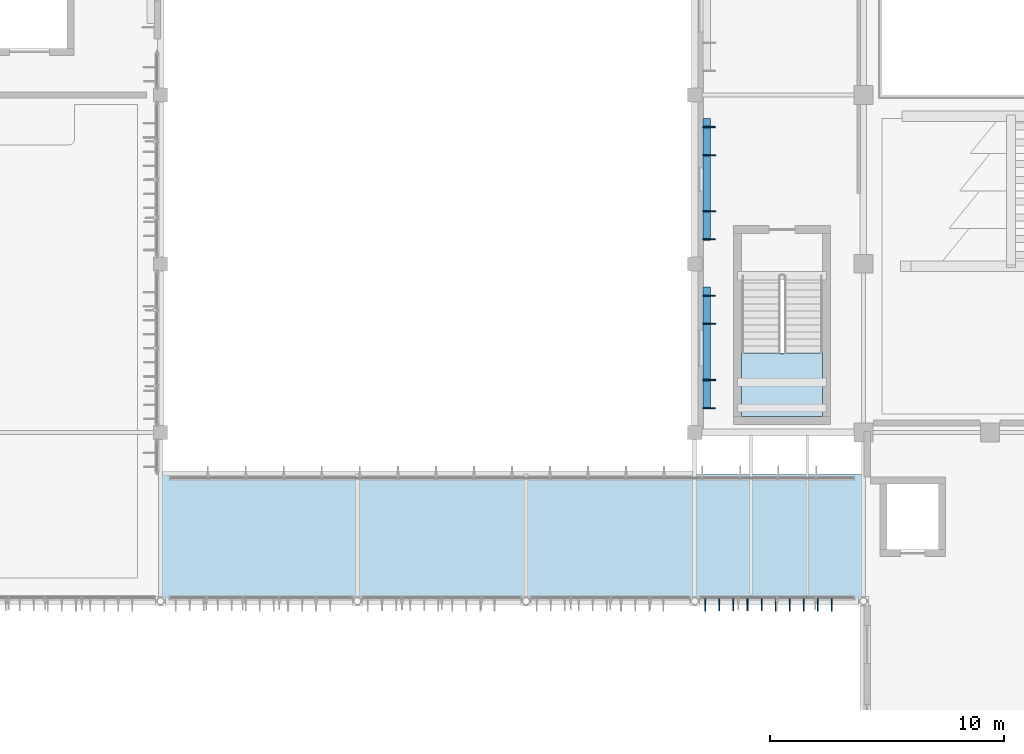
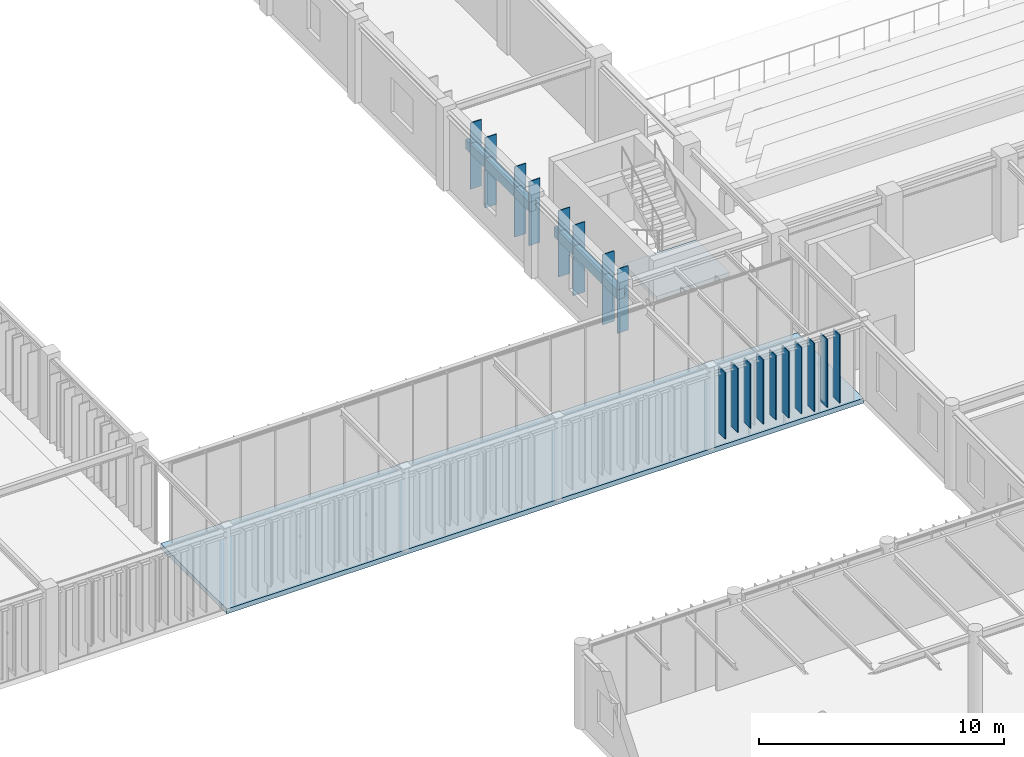
# One storey, part 19 of 104: 20 plates, 2 slabs, 1 element without a shape of its own.
"""IFC4 building model written with IfcOpenShell, lengths in metres."""

from ifc_helpers import new_model, si_unit, direction, frame, origin, origin_2d, place, context, subcontext, project, spatial, polyline, rectangle, outline, extrude, material, layer, layer_set, type_object, element, aggregate, save


model = new_model("IFC4")

# Units and contexts
model_context = context("Model", 3, precision=1e-05, world=origin(), true_north=direction((0.0, 1.0)))
body_context = subcontext(model_context, "Body", "Model", "MODEL_VIEW")
ifc_project = project(units=[si_unit("LENGTHUNIT", "METRE"), si_unit("AREAUNIT", "SQUARE_METRE"), si_unit("VOLUMEUNIT", "CUBIC_METRE"), si_unit("PLANEANGLEUNIT", "RADIAN"), si_unit("MASSUNIT", "GRAM", prefix="KILO")], contexts=[model_context])

# Site, building, storey
site_placement = place(None, origin())
site = spatial("IfcSite", under=ifc_project, at=site_placement, CompositionType="ELEMENT")
building_placement = place(site_placement, origin())
building = spatial("IfcBuilding", under=site, at=building_placement, Name="Tazoul Stagehouse", CompositionType="ELEMENT")
storey_placement = place(building_placement, frame((0.0, 0.0, 9.0)))
storey = spatial("IfcBuildingStorey", under=building, at=storey_placement, Name="L02", CompositionType="ELEMENT", Elevation=9.0)

# Stair, slab
ifc_material_1 = material(Name="Concrete C40/50", Category="concrete")
stair_type = type_object("IfcStairType", Name="Protected Core Dogleg Stair 4200", PredefinedType="HALF_TURN_STAIR", material=ifc_material_1)
stair_placement = place(storey_placement, origin())
stair = element("IfcStair", 1, at=stair_placement, inside=storey, type_object=stair_type, Name="L02 Core Escape Stair ST-05", PredefinedType="HALF_TURN_STAIR")
ifc_layer_1 = layer(ifc_material_1, 0.179931640625, Name="Concrete C40/50")
ifc_layer_set_1 = layer_set([ifc_layer_1], Name="Concrete C40/50")
slab_type_1 = type_object("IfcSlabType", Name="Core Half-Landing Slab 180", PredefinedType="LANDING", material=ifc_layer_set_1)
slab_1_placement = place(storey_placement, frame((0.0, 0.0, 1.89990234375)))
slab_1 = element("IfcSlab", 2, at=slab_1_placement, type_object=slab_type_1, Name="ST-05 landing 1", PredefinedType="LANDING", context=body_context, shape_type="SweptSolid", body=[
    extrude(outline(polyline([(52.39990234375, 55.18994140625), (52.39990234375, 52.489990234375), (55.85009765625, 52.489990234375), (55.85009765625, 55.18994140625), (52.39990234375, 55.18994140625)])), origin(), (0.0, 0.0, 1.0), 0.2001953125),
])
aggregate(stair, [slab_1])

# Slab
ifc_material_2 = material(Name="Concrete C35/45", Category="concrete")
ifc_layer_2 = layer(ifc_material_2, 0.239990234375, Name="Concrete C35/45")
ifc_layer_set_2 = layer_set([ifc_layer_2], Name="Concrete C35/45")
slab_type_2 = type_object("IfcSlabType", Name="Court Bridge Slab 240", PredefinedType="FLOOR", material=ifc_layer_set_2)
slab_2_placement = place(storey_placement, frame((0.0, 0.0, -0.239990234375)))
element("IfcSlab", 3, at=slab_2_placement, inside=storey, type_object=slab_type_2, Name="L02 Court Bridge Slab 240 (V6)", PredefinedType="FLOOR", context=body_context, shape_type="SweptSolid", body=[
    extrude(outline(polyline([(27.60009765625, 44.60009765625), (27.60009765625, 50.0), (57.60009765625, 50.0), (57.60009765625, 44.60009765625), (27.60009765625, 44.60009765625)])), origin(), (0.0, 0.0, 1.0), 0.239990234375),
])

# Plates
ifc_material_3 = material(Name="Anodised Bronze Aluminium 6063-T6", Category="aluminium")
ifc_layer_3 = layer(ifc_material_3, 0.52001953125, Name="Anodised Bronze Aluminium 6063-T6")
ifc_layer_set_3 = layer_set([ifc_layer_3], Name="Anodised Bronze Aluminium 6063-T6")
plate_type_1 = type_object("IfcPlateType", Name="Parametric Terracotta-Bronze Solar Fin 520x3200", PredefinedType="USERDEFINED", material=ifc_layer_set_3)
for number, where, z_axis, x_axis, name in (
    (4, (51.451904296875, 44.449951171875, 0.68994140625), (0.0, 0.0, 1.0), (1.0, 0.0, 0.0), "L02 Parametric Solar Fin SFN-18 (CW-WLNK-S-L02-B4-02)"),
    (5, (52.052001953125, 44.449951171875, 0.68994140625), (0.0, 0.0, 1.0), (1.0, 0.0, 0.0), "L02 Parametric Solar Fin SFN-18 (CW-WLNK-S-L02-B4-03)"),
    (6, (52.652099609375, 44.449951171875, 0.68994140625), (0.0, 0.0, 1.0), (1.0, 0.0, 0.0), "L02 Parametric Solar Fin SFN-18 (CW-WLNK-S-L02-B4-04)"),
    (7, (53.251953125, 44.449951171875, 0.68994140625), (0.0, 0.0, 1.0), (1.0, 0.0, 0.0), "L02 Parametric Solar Fin SFN-18 (CW-WLNK-S-L02-B4-05)"),
    (8, (51.010009765625, 52.840087890625, 0.64013671875), (0.0, 0.0, 1.0), (0.0, 1.0, 0.0), "L02 Parametric Solar Fin SFN-18 (WALL-V1-W-L02-S1-B1-01)"),
    (9, (51.010009765625, 60.0400390625, 0.64013671875), (0.0, 0.0, 1.0), (0.0, 1.0, 0.0), "L02 Parametric Solar Fin SFN-18 (WALL-V1-W-L02-S1-B2-01)"),
):
    element("IfcPlate", number, at=place(storey_placement, frame(where, z_axis=z_axis, x_axis=x_axis)), inside=storey, type_object=plate_type_1, Name=name, ObjectType="SOLAR FIN", PredefinedType="USERDEFINED", context=body_context, shape_type="SweptSolid", body=[
        extrude(rectangle(XDim=0.044921875, YDim=0.52001953125, at=origin_2d()), origin(), (0.0, 0.0, 1.0), 3.199951171875),
    ])
ifc_layer_4 = layer(ifc_material_3, 0.530029296875, Name="Anodised Bronze Aluminium 6063-T6")
ifc_layer_set_4 = layer_set([ifc_layer_4], Name="Anodised Bronze Aluminium 6063-T6")
plate_type_2 = type_object("IfcPlateType", Name="Parametric Terracotta-Bronze Solar Fin 530x3300", PredefinedType="USERDEFINED", material=ifc_layer_set_4)
for number, where, z_axis, x_axis, name in (
    (10, (50.85205078125, 44.445068359375, 0.58984375), (0.0, 0.0, 1.0), (1.0, 0.0, 0.0), "L02 Parametric Solar Fin SFN-19 (CW-WLNK-S-L02-B4-01)"),
    (11, (53.85205078125, 44.445068359375, 0.58984375), (0.0, 0.0, 1.0), (1.0, 0.0, 0.0), "L02 Parametric Solar Fin SFN-19 (CW-WLNK-S-L02-B4-06)"),
    (12, (54.451904296875, 44.445068359375, 0.58984375), (0.0, 0.0, 1.0), (1.0, 0.0, 0.0), "L02 Parametric Solar Fin SFN-19 (CW-WLNK-S-L02-B4-07)"),
    (13, (51.014892578125, 57.639892578125, 0.5400390625), (0.0, 0.0, 1.0), (0.0, 1.0, 0.0), "L02 Parametric Solar Fin SFN-19 (WALL-V1-W-L02-S1-B1-05)"),
    (14, (51.014892578125, 64.840087890625, 0.5400390625), (0.0, 0.0, 1.0), (0.0, 1.0, 0.0), "L02 Parametric Solar Fin SFN-19 (WALL-V1-W-L02-S1-B2-05)"),
):
    element("IfcPlate", number, at=place(storey_placement, frame(where, z_axis=z_axis, x_axis=x_axis)), inside=storey, type_object=plate_type_2, Name=name, ObjectType="SOLAR FIN", PredefinedType="USERDEFINED", context=body_context, shape_type="SweptSolid", body=[
        extrude(rectangle(XDim=0.044921875, YDim=0.530029296875, at=origin_2d()), origin(), (0.0, 0.0, 1.0), 3.300048828125),
    ])
ifc_layer_5 = layer(ifc_material_3, 0.5400390625, Name="Anodised Bronze Aluminium 6063-T6")
ifc_layer_set_5 = layer_set([ifc_layer_5], Name="Anodised Bronze Aluminium 6063-T6")
plate_type_3 = type_object("IfcPlateType", Name="Parametric Terracotta-Bronze Solar Fin 540x3400", PredefinedType="USERDEFINED", material=ifc_layer_set_5)
for number, where, z_axis, x_axis, name in (
    (15, (55.052001953125, 44.43994140625, 0.489990234375), (0.0, 0.0, 1.0), (1.0, 0.0, 0.0), "L02 Parametric Solar Fin SFN-20 (CW-WLNK-S-L02-B4-08)"),
    (16, (55.652099609375, 44.43994140625, 0.489990234375), (0.0, 0.0, 1.0), (1.0, 0.0, 0.0), "L02 Parametric Solar Fin SFN-20 (CW-WLNK-S-L02-B4-09)"),
    (17, (56.251953125, 44.43994140625, 0.489990234375), (0.0, 0.0, 1.0), (1.0, 0.0, 0.0), "L02 Parametric Solar Fin SFN-20 (CW-WLNK-S-L02-B4-10)"),
):
    element("IfcPlate", number, at=place(storey_placement, frame(where, z_axis=z_axis, x_axis=x_axis)), inside=storey, type_object=plate_type_3, Name=name, ObjectType="SOLAR FIN", PredefinedType="USERDEFINED", context=body_context, shape_type="SweptSolid", body=[
        extrude(rectangle(XDim=0.044921875, YDim=0.5400390625, at=origin_2d()), origin(), (0.0, 0.0, 1.0), 3.39990234375),
    ])
ifc_layer_6 = layer(ifc_material_3, 0.550048828125, Name="Anodised Bronze Aluminium 6063-T6")
ifc_layer_set_6 = layer_set([ifc_layer_6], Name="Anodised Bronze Aluminium 6063-T6")
plate_type_4 = type_object("IfcPlateType", Name="Parametric Terracotta-Bronze Solar Fin 550x3500", PredefinedType="USERDEFINED", material=ifc_layer_set_6)
for number, where, z_axis, x_axis, name in (
    (18, (51.02490234375, 54.0400390625, 0.340087890625), (0.0, 0.0, 1.0), (0.0, 1.0, 0.0), "L02 Parametric Solar Fin SFN-21 (WALL-V1-W-L02-S1-B1-02)"),
    (19, (51.02490234375, 56.43994140625, 0.340087890625), (0.0, 0.0, 1.0), (0.0, 1.0, 0.0), "L02 Parametric Solar Fin SFN-21 (WALL-V1-W-L02-S1-B1-04)"),
    (20, (51.02490234375, 61.239990234375, 0.340087890625), (0.0, 0.0, 1.0), (0.0, 1.0, 0.0), "L02 Parametric Solar Fin SFN-21 (WALL-V1-W-L02-S1-B2-02)"),
    (21, (51.02490234375, 63.639892578125, 0.340087890625), (0.0, 0.0, 1.0), (0.0, 1.0, 0.0), "L02 Parametric Solar Fin SFN-21 (WALL-V1-W-L02-S1-B2-04)"),
):
    element("IfcPlate", number, at=place(storey_placement, frame(where, z_axis=z_axis, x_axis=x_axis)), inside=storey, type_object=plate_type_4, Name=name, ObjectType="SOLAR FIN", PredefinedType="USERDEFINED", context=body_context, shape_type="SweptSolid", body=[
        extrude(rectangle(XDim=0.044921875, YDim=0.550048828125, at=origin_2d()), origin(), (0.0, 0.0, 1.0), 3.5),
    ])
ifc_layer_7 = layer(ifc_material_3, 0.320068359375, Name="Anodised Bronze Aluminium 6063-T6")
ifc_layer_set_7 = layer_set([ifc_layer_7], Name="Anodised Bronze Aluminium 6063-T6")
plate_type_5 = type_object("IfcPlateType", Name="Sculpted Facade Spandrel Ribbon 5200x480", PredefinedType="USERDEFINED", material=ifc_layer_set_7)
for number, where, z_axis, x_axis, name in (
    (22, (50.909912109375, 55.39990234375, 2.333984375), (0.0, 0.0, 1.0), (0.0, 1.0, 0.0), "L02 Sculpted Facade Spandrel Ribbon FRB-07 (WALL-V1-W-L02-S1-B1)"),
    (23, (50.909912109375, 62.60009765625, 2.333984375), (0.0, 0.0, 1.0), (0.0, 1.0, 0.0), "L02 Sculpted Facade Spandrel Ribbon FRB-07 (WALL-V1-W-L02-S1-B2)"),
):
    element("IfcPlate", number, at=place(storey_placement, frame(where, z_axis=z_axis, x_axis=x_axis)), inside=storey, type_object=plate_type_5, Name=name, ObjectType="FACADE RIBBON", PredefinedType="USERDEFINED", context=body_context, shape_type="SweptSolid", body=[
        extrude(rectangle(XDim=5.199951171875, YDim=0.320068359375, at=origin_2d()), origin(), (0.0, 0.0, 1.0), 0.47998046875),
    ])

save(model, "model.ifc")
